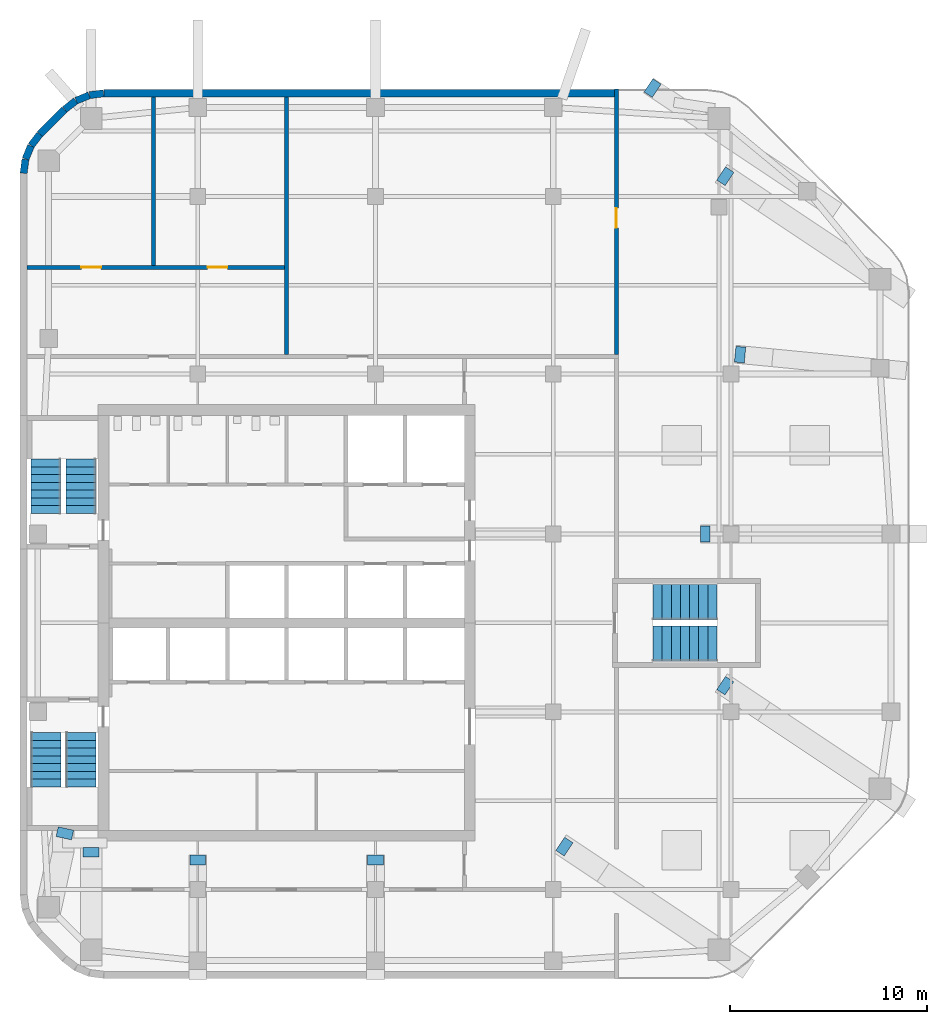
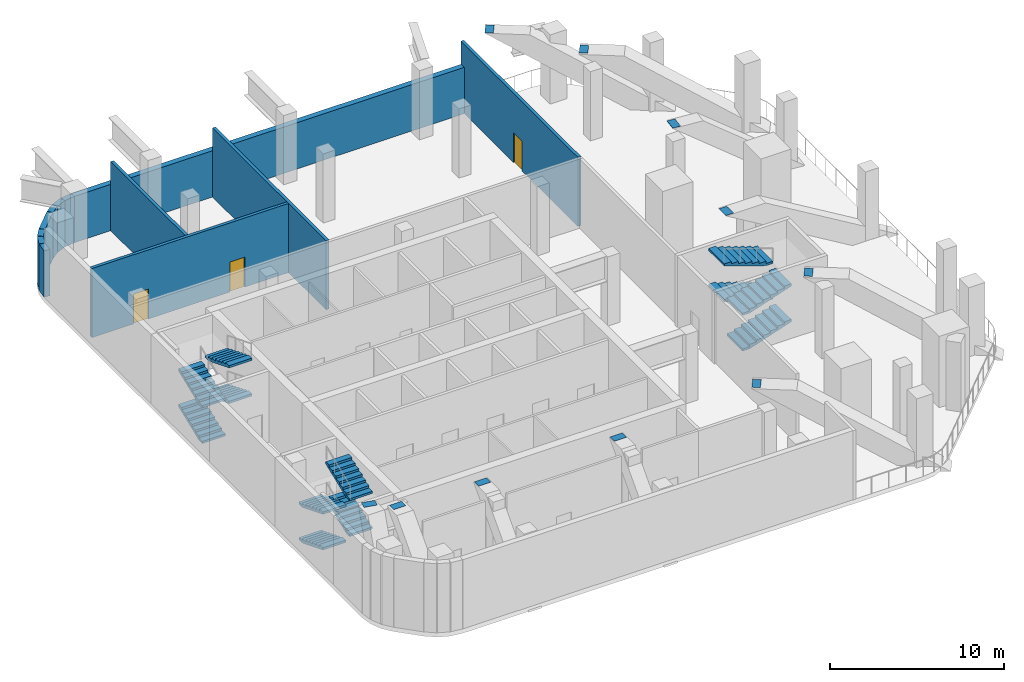
# One storey, part 5 of 8: 12 stair flights, 12 walls, 10 discrete accessories, 3 doors, 3 openings, 3 elements without a shape of their own.
"""IFC4 building model written with IfcOpenShell, lengths in metres."""

from ifc_helpers import new_model, si_unit, direction, frame, frame_2d, origin, origin_2d, place, context, subcontext, project, spatial, polyline, rectangle, outline, extrude, material, layer, layer_set, type_object, element, fill, aggregate, save


model = new_model("IFC4")

# Units and contexts
model_context = context("Model", 3, precision=1e-05, world=origin(), true_north=direction((0.0, 1.0)))
body_context = subcontext(model_context, "Body", "Model", "MODEL_VIEW")
ifc_project = project(units=[si_unit("LENGTHUNIT", "METRE"), si_unit("AREAUNIT", "SQUARE_METRE"), si_unit("VOLUMEUNIT", "CUBIC_METRE"), si_unit("PLANEANGLEUNIT", "RADIAN"), si_unit("MASSUNIT", "GRAM", prefix="KILO")], contexts=[model_context])

# Site, building, storey
site_placement = place(None, origin())
site = spatial("IfcSite", under=ifc_project, at=site_placement, CompositionType="ELEMENT")
building_placement = place(site_placement, origin())
building = spatial("IfcBuilding", under=site, at=building_placement, Name="Cinnabar Reach Civic Tower", CompositionType="ELEMENT")
storey_placement = place(building_placement, frame((0.0, 0.0, 242.0)))
storey = spatial("IfcBuildingStorey", under=building, at=storey_placement, Name="L58", CompositionType="ELEMENT", Elevation=242.0)

# Walls
ifc_material_1 = material(Name="Facing brick with insulated backing", Category="masonry")
ifc_layer_1 = layer(ifc_material_1, 0.36)
ifc_layer_set_1 = layer_set([ifc_layer_1], Name="Brick corner wall")
wall_type_1 = type_object("IfcWallType", Name="Brick corner wall", PredefinedType="STANDARD", material=ifc_layer_set_1)
for number, where, z_axis, x_axis, name in (
    (1, (4.2314, 58.317, 0.0), (0.0, 0.0, 1.0), (-0.99144092581, -0.13055608231, 0.0), "Brick corner wall"),
    (2, (3.5027, 58.2181, 0.0), (0.0, 0.0, 1.0), (-0.923871547278, -0.382702709855, 0.0), "Brick corner wall"),
):
    element("IfcWall", number, at=place(storey_placement, frame(where, z_axis=z_axis, x_axis=x_axis)), inside=storey, type_object=wall_type_1, Name=name, PredefinedType="STANDARD", context=body_context, shape_type="SweptSolid", body=[
        extrude(rectangle(XDim=0.7131, YDim=0.36, at=frame_2d((0.3565, 0.0))), origin(), (0.0, 0.0, 1.0), 3.25),
    ])
for number, where, z_axis, x_axis, name in (
    (3, (2.8245, 57.934, 0.0), (0.0, 0.0, 1.0), (-0.793321924995, -0.608802368033, 0.0), "Brick corner wall"),
    (4, (1.0002, 56.2413, 0.0), (0.0, 0.0, 1.0), (-0.608802368033, -0.793321924995, 0.0), "Brick corner wall"),
):
    element("IfcWall", number, at=place(storey_placement, frame(where, z_axis=z_axis, x_axis=x_axis)), inside=storey, type_object=wall_type_1, Name=name, PredefinedType="STANDARD", context=body_context, shape_type="SweptSolid", body=[
        extrude(rectangle(XDim=0.7132, YDim=0.36, at=frame_2d((0.3566, 0.0))), origin(), (0.0, 0.0, 1.0), 3.25),
    ])
for number, where, z_axis, x_axis, name in (
    (5, (0.5548, 55.6561, 0.0), (0.0, 0.0, 1.0), (-0.382702709855, -0.923871547278, 0.0), "Brick corner wall"),
    (6, (0.2761, 54.9756, 0.0), (0.0, 0.0, 1.0), (-0.13055608231, -0.99144092581, 0.0), "Brick corner wall"),
):
    element("IfcWall", number, at=place(storey_placement, frame(where, z_axis=z_axis, x_axis=x_axis)), inside=storey, type_object=wall_type_1, Name=name, PredefinedType="STANDARD", context=body_context, shape_type="SweptSolid", body=[
        extrude(rectangle(XDim=0.7131, YDim=0.36, at=frame_2d((0.3565, 0.0))), origin(), (0.0, 0.0, 1.0), 3.25),
    ])
ifc_layer_2 = layer(ifc_material_1, 0.36)
ifc_layer_set_2 = layer_set([ifc_layer_2], Name="Brick pier and spandrel wall")
wall_type_2 = type_object("IfcWallType", Name="Brick pier and spandrel wall", PredefinedType="STANDARD", material=ifc_layer_set_2)
wall_1_placement = place(storey_placement, frame((30.2, 58.32, 0.0), z_axis=(0.0, 0.0, 1.0), x_axis=(-1.0, 0.0, 0.0)))
element("IfcWall", 7, at=wall_1_placement, inside=storey, type_object=wall_type_2, Name="Brick facade wall", PredefinedType="STANDARD", context=body_context, shape_type="SweptSolid", body=[
    extrude(rectangle(XDim=25.9574, YDim=0.36, at=frame_2d((12.9787, 0.0))), origin(), (0.0, 0.0, 1.0), 3.25),
])
wall_2_placement = place(storey_placement, frame((2.2486, 57.494, 0.0), z_axis=(0.0, 0.0, 1.0), x_axis=(-0.707106781187, -0.707106781187, 0.0)))
element("IfcWall", 8, at=wall_2_placement, inside=storey, type_object=wall_type_2, Name="Brick facade wall", PredefinedType="STANDARD", context=body_context, shape_type="SweptSolid", body=[
    extrude(rectangle(XDim=1.7573, YDim=0.36, at=frame_2d((0.8787, 0.0))), origin(), (0.0, 0.0, 1.0), 3.25),
])

# Wall, opening, door
ifc_material_2 = material(Name="Concrete C40", Category="concrete")
ifc_layer_3 = layer(ifc_material_2, 0.2)
ifc_layer_set_3 = layer_set([ifc_layer_3], Name="Refuge compartment wall 200 T1")
wall_type_3 = type_object("IfcWallType", Name="Refuge compartment wall 200 T1", PredefinedType="PARTITIONING", material=ifc_layer_set_3)
wall_3_placement = place(storey_placement, frame((30.2, 45.1, 0.0), z_axis=(0.0, 0.0, 1.0), x_axis=(0.0, 1.0, 0.0)))
wall_3 = element("IfcWall", 9, at=wall_3_placement, inside=storey, type_object=wall_type_3, Name="Refuge compartment wall 2", PredefinedType="PARTITIONING", context=body_context, shape_type="SweptSolid", body=[
    extrude(rectangle(XDim=13.4268, YDim=0.2, at=frame_2d((6.7134, 0.0))), origin(), (0.0, 0.0, 1.0), 4.85),
])
opening_1_placement = place(wall_3_placement, frame((6.4, 0.0, 0.0)))
opening_1 = element("IfcOpeningElement", 10, at=opening_1_placement, cuts=wall_3, Name="Opening D5769", PredefinedType="OPENING", context=body_context, shape_type="SweptSolid", body=[
    extrude(rectangle(XDim=1.0, YDim=2.1, at=frame_2d((0.5, 1.05))), frame((0.0, 0.11, 0.0), z_axis=(0.0, -1.0, 0.0), x_axis=(1.0, 0.0, 0.0)), (0.0, 0.0, 1.0), 0.22),
])
ifc_material_3 = material(Name="Timber door leaf in steel frame", Category="steel")
door_type = type_object("IfcDoorType", Name="Refuge door 1000 x 2100 T1", OperationType="SINGLE_SWING_LEFT", PredefinedType="DOOR", material=ifc_material_3)
door_1_placement = place(opening_1_placement, frame((1.0, 0.0, 0.0), z_axis=(0.0, 0.0, 1.0), x_axis=(-1.0, 0.0, 0.0)))
door_1 = element("IfcDoor", 11, at=door_1_placement, inside=storey, type_object=door_type, Name="Door D5769", OperationType="SINGLE_SWING_RIGHT", OverallHeight=2.1, OverallWidth=1.0, PredefinedType="DOOR", context=body_context, shape_type="SweptSolid", body=[
    extrude(rectangle(XDim=1.0, YDim=2.1, at=frame_2d((0.5, 1.05))), frame((0.0, 0.025, 0.0), z_axis=(0.0, -1.0, 0.0), x_axis=(1.0, 0.0, 0.0)), (0.0, 0.0, 1.0), 0.05),
])
fill(opening_1, door_1)

# Wall
wall_4_placement = place(storey_placement, frame((13.5, 45.1, 0.0), z_axis=(0.0, 0.0, 1.0), x_axis=(0.0, 1.0, 0.0)))
element("IfcWall", 12, at=wall_4_placement, inside=storey, type_object=wall_type_3, Name="Refuge compartment wall 6", PredefinedType="PARTITIONING", context=body_context, shape_type="SweptSolid", body=[
    extrude(rectangle(XDim=13.04, YDim=0.2, at=frame_2d((6.52, 0.0))), origin(), (0.0, 0.0, 1.0), 4.85),
])

# Wall, openings, doors
wall_5_placement = place(storey_placement, frame((0.36, 49.5, 0.0), z_axis=(0.0, 0.0, 1.0), x_axis=(1.0, 0.0, 0.0)))
wall_5 = element("IfcWall", 13, at=wall_5_placement, inside=storey, type_object=wall_type_3, Name="Refuge compartment wall 7", PredefinedType="PARTITIONING", context=body_context, shape_type="SweptSolid", body=[
    extrude(rectangle(XDim=13.04, YDim=0.2, at=frame_2d((6.52, 0.0))), origin(), (0.0, 0.0, 1.0), 4.85),
])
opening_2_placement = place(wall_5_placement, frame((2.75, 0.0, 0.0)))
opening_2 = element("IfcOpeningElement", 14, at=opening_2_placement, cuts=wall_5, Name="Opening D5369", PredefinedType="OPENING", context=body_context, shape_type="SweptSolid", body=[
    extrude(rectangle(XDim=1.0, YDim=2.1, at=frame_2d((0.5, 1.05))), frame((0.0, 0.11, 0.0), z_axis=(0.0, -1.0, 0.0), x_axis=(1.0, 0.0, 0.0)), (0.0, 0.0, 1.0), 0.22),
])
opening_3_placement = place(wall_5_placement, frame((9.14, 0.0, 0.0)))
opening_3 = element("IfcOpeningElement", 15, at=opening_3_placement, cuts=wall_5, Name="Opening D5370", PredefinedType="OPENING", context=body_context, shape_type="SweptSolid", body=[
    extrude(rectangle(XDim=1.0, YDim=2.1, at=frame_2d((0.5, 1.05))), frame((0.0, 0.11, 0.0), z_axis=(0.0, -1.0, 0.0), x_axis=(1.0, 0.0, 0.0)), (0.0, 0.0, 1.0), 0.22),
])
door_2_placement = place(opening_2_placement, frame((1.0, 0.0, 0.0), z_axis=(0.0, 0.0, 1.0), x_axis=(-1.0, 0.0, 0.0)))
door_2 = element("IfcDoor", 16, at=door_2_placement, inside=storey, type_object=door_type, Name="Door D5369", OperationType="SINGLE_SWING_LEFT", OverallHeight=2.1, OverallWidth=1.0, PredefinedType="DOOR", context=body_context, shape_type="SweptSolid", body=[
    extrude(rectangle(XDim=1.0, YDim=2.1, at=frame_2d((0.5, 1.05))), frame((0.0, 0.025, 0.0), z_axis=(0.0, -1.0, 0.0), x_axis=(1.0, 0.0, 0.0)), (0.0, 0.0, 1.0), 0.05),
])
fill(opening_2, door_2)
door_3_placement = place(opening_3_placement, frame((1.0, 0.0, 0.0), z_axis=(0.0, 0.0, 1.0), x_axis=(-1.0, 0.0, 0.0)))
door_3 = element("IfcDoor", 17, at=door_3_placement, inside=storey, type_object=door_type, Name="Door D5370", OperationType="SINGLE_SWING_LEFT", OverallHeight=2.1, OverallWidth=1.0, PredefinedType="DOOR", context=body_context, shape_type="SweptSolid", body=[
    extrude(rectangle(XDim=1.0, YDim=2.1, at=frame_2d((0.5, 1.05))), frame((0.0, 0.025, 0.0), z_axis=(0.0, -1.0, 0.0), x_axis=(1.0, 0.0, 0.0)), (0.0, 0.0, 1.0), 0.05),
])
fill(opening_3, door_3)

# Wall
wall_6_placement = place(storey_placement, frame((6.75, 49.6, 0.0), z_axis=(0.0, 0.0, 1.0), x_axis=(0.0, 1.0, 0.0)))
element("IfcWall", 18, at=wall_6_placement, inside=storey, type_object=wall_type_3, Name="Refuge compartment wall 8", PredefinedType="PARTITIONING", context=body_context, shape_type="SweptSolid", body=[
    extrude(rectangle(XDim=8.54, YDim=0.2, at=frame_2d((4.27, 0.0))), origin(), (0.0, 0.0, 1.0), 4.85),
])

# Stair, stair flights
ifc_material_4 = material(Name="Concrete C40/50", Category="concrete")
stair_type = type_object("IfcStairType", Name="T1 Exit stair, double return", PredefinedType="DOUBLE_RETURN_STAIR", material=ifc_material_4)
stair_1_placement = place(storey_placement, origin())
stair_1 = element("IfcStair", 19, at=stair_1_placement, inside=storey, type_object=stair_type, Name="Stair T1-S1", PredefinedType="DOUBLE_RETURN_STAIR")
stair_flight_type = type_object("IfcStairFlightType", Name="T1 Stair flight, concrete", PredefinedType="STRAIGHT", material=ifc_material_4)
stair_flight_1_placement = place(storey_placement, frame((1.3125, 25.95, 0.0), z_axis=(0.0, 0.0, 1.0), x_axis=(0.0, -1.0, 0.0)))
stair_flight_1 = element("IfcStairFlight", 20, at=stair_flight_1_placement, type_object=stair_flight_type, Name="T1-S1 flight 1", NumberOfRisers=8, NumberOfTreads=7, PredefinedType="STRAIGHT", RiserHeight=0.15625, TreadLength=0.392142857, context=body_context, shape_type="SweptSolid", body=[
    extrude(outline(polyline([(0.0, 0.0), (0.0, 0.1562), (0.3921, 0.1562), (0.3921, 0.3125), (0.7843, 0.3125), (0.7843, 0.4688), (1.1764, 0.4688), (1.1764, 0.625), (1.5686, 0.625), (1.5686, 0.7812), (1.9607, 0.7812), (1.9607, 0.9375), (2.3529, 0.9375), (2.3529, 1.0938), (2.745, 1.0938), (2.745, 1.25), (2.745, 0.9323), (0.4052, 0.0), (0.0, 0.0)])), frame((0.0, 0.7625, 0.0), z_axis=(0.0, -1.0, 0.0), x_axis=(1.0, 0.0, 0.0)), (0.0, 0.0, 1.0), 1.525),
])
stair_flight_2_placement = place(storey_placement, frame((3.0875, 23.205, 1.25), z_axis=(0.0, 0.0, 1.0), x_axis=(0.0, 1.0, 0.0)))
stair_flight_2 = element("IfcStairFlight", 21, at=stair_flight_2_placement, type_object=stair_flight_type, Name="T1-S1 flight 2", NumberOfRisers=8, NumberOfTreads=7, PredefinedType="STRAIGHT", RiserHeight=0.15625, TreadLength=0.392142857, context=body_context, shape_type="SweptSolid", body=[
    extrude(outline(polyline([(0.0, 0.0), (0.0, 0.1562), (0.3921, 0.1562), (0.3921, 0.3125), (0.7843, 0.3125), (0.7843, 0.4688), (1.1764, 0.4688), (1.1764, 0.625), (1.5686, 0.625), (1.5686, 0.7812), (1.9607, 0.7812), (1.9607, 0.9375), (2.3529, 0.9375), (2.3529, 1.0938), (2.745, 1.0938), (2.745, 1.25), (2.745, 0.9323), (0.4052, 0.0), (0.0, 0.0)])), frame((0.0, 0.7625, 0.0), z_axis=(0.0, -1.0, 0.0), x_axis=(1.0, 0.0, 0.0)), (0.0, 0.0, 1.0), 1.525),
])
stair_flight_3_placement = place(storey_placement, frame((1.3125, 25.95, 2.5), z_axis=(0.0, 0.0, 1.0), x_axis=(0.0, -1.0, 0.0)))
stair_flight_3 = element("IfcStairFlight", 22, at=stair_flight_3_placement, type_object=stair_flight_type, Name="T1-S1 flight 3", NumberOfRisers=8, NumberOfTreads=7, PredefinedType="STRAIGHT", RiserHeight=0.15625, TreadLength=0.392142857, context=body_context, shape_type="SweptSolid", body=[
    extrude(outline(polyline([(0.0, 0.0), (0.0, 0.1562), (0.3921, 0.1562), (0.3921, 0.3125), (0.7843, 0.3125), (0.7843, 0.4688), (1.1764, 0.4688), (1.1764, 0.625), (1.5686, 0.625), (1.5686, 0.7812), (1.9607, 0.7812), (1.9607, 0.9375), (2.3529, 0.9375), (2.3529, 1.0938), (2.745, 1.0938), (2.745, 1.25), (2.745, 0.9323), (0.4052, 0.0), (0.0, 0.0)])), frame((0.0, 0.7625, 0.0), z_axis=(0.0, -1.0, 0.0), x_axis=(1.0, 0.0, 0.0)), (0.0, 0.0, 1.0), 1.525),
])
stair_flight_4_placement = place(storey_placement, frame((3.0875, 23.205, 3.75), z_axis=(0.0, 0.0, 1.0), x_axis=(0.0, 1.0, 0.0)))
stair_flight_4 = element("IfcStairFlight", 23, at=stair_flight_4_placement, type_object=stair_flight_type, Name="T1-S1 flight 4", NumberOfRisers=8, NumberOfTreads=7, PredefinedType="STRAIGHT", RiserHeight=0.15625, TreadLength=0.392142857, context=body_context, shape_type="SweptSolid", body=[
    extrude(outline(polyline([(0.0, 0.0), (0.0, 0.1562), (0.3921, 0.1562), (0.3921, 0.3125), (0.7843, 0.3125), (0.7843, 0.4688), (1.1764, 0.4688), (1.1764, 0.625), (1.5686, 0.625), (1.5686, 0.7812), (1.9607, 0.7812), (1.9607, 0.9375), (2.3529, 0.9375), (2.3529, 1.0938), (2.745, 1.0938), (2.745, 1.25), (2.745, 0.9323), (0.4052, 0.0), (0.0, 0.0)])), frame((0.0, 0.7625, 0.0), z_axis=(0.0, -1.0, 0.0), x_axis=(1.0, 0.0, 0.0)), (0.0, 0.0, 1.0), 1.525),
])
aggregate(stair_1, [stair_flight_1, stair_flight_2, stair_flight_3, stair_flight_4])

stair_2_placement = place(storey_placement, origin())
stair_2 = element("IfcStair", 24, at=stair_2_placement, inside=storey, type_object=stair_type, Name="Stair T1-S2", PredefinedType="DOUBLE_RETURN_STAIR")
stair_flight_5_placement = place(storey_placement, frame((1.3125, 37.05, 0.0), z_axis=(0.0, 0.0, 1.0), x_axis=(0.0, 1.0, 0.0)))
stair_flight_5 = element("IfcStairFlight", 25, at=stair_flight_5_placement, type_object=stair_flight_type, Name="T1-S2 flight 1", NumberOfRisers=8, NumberOfTreads=7, PredefinedType="STRAIGHT", RiserHeight=0.15625, TreadLength=0.392142857, context=body_context, shape_type="SweptSolid", body=[
    extrude(outline(polyline([(0.0, 0.0), (0.0, 0.1562), (0.3921, 0.1562), (0.3921, 0.3125), (0.7843, 0.3125), (0.7843, 0.4688), (1.1764, 0.4688), (1.1764, 0.625), (1.5686, 0.625), (1.5686, 0.7812), (1.9607, 0.7812), (1.9607, 0.9375), (2.3529, 0.9375), (2.3529, 1.0938), (2.745, 1.0938), (2.745, 1.25), (2.745, 0.9323), (0.4052, 0.0), (0.0, 0.0)])), frame((0.0, 0.7625, 0.0), z_axis=(0.0, -1.0, 0.0), x_axis=(1.0, 0.0, 0.0)), (0.0, 0.0, 1.0), 1.525),
])
stair_flight_6_placement = place(storey_placement, frame((3.0875, 39.795, 1.25), z_axis=(0.0, 0.0, 1.0), x_axis=(0.0, -1.0, 0.0)))
stair_flight_6 = element("IfcStairFlight", 26, at=stair_flight_6_placement, type_object=stair_flight_type, Name="T1-S2 flight 2", NumberOfRisers=8, NumberOfTreads=7, PredefinedType="STRAIGHT", RiserHeight=0.15625, TreadLength=0.392142857, context=body_context, shape_type="SweptSolid", body=[
    extrude(outline(polyline([(0.0, 0.0), (0.0, 0.1562), (0.3921, 0.1562), (0.3921, 0.3125), (0.7843, 0.3125), (0.7843, 0.4688), (1.1764, 0.4688), (1.1764, 0.625), (1.5686, 0.625), (1.5686, 0.7812), (1.9607, 0.7812), (1.9607, 0.9375), (2.3529, 0.9375), (2.3529, 1.0938), (2.745, 1.0938), (2.745, 1.25), (2.745, 0.9323), (0.4052, 0.0), (0.0, 0.0)])), frame((0.0, 0.7625, 0.0), z_axis=(0.0, -1.0, 0.0), x_axis=(1.0, 0.0, 0.0)), (0.0, 0.0, 1.0), 1.525),
])
stair_flight_7_placement = place(storey_placement, frame((1.3125, 37.05, 2.5), z_axis=(0.0, 0.0, 1.0), x_axis=(0.0, 1.0, 0.0)))
stair_flight_7 = element("IfcStairFlight", 27, at=stair_flight_7_placement, type_object=stair_flight_type, Name="T1-S2 flight 3", NumberOfRisers=8, NumberOfTreads=7, PredefinedType="STRAIGHT", RiserHeight=0.15625, TreadLength=0.392142857, context=body_context, shape_type="SweptSolid", body=[
    extrude(outline(polyline([(0.0, 0.0), (0.0, 0.1562), (0.3921, 0.1562), (0.3921, 0.3125), (0.7843, 0.3125), (0.7843, 0.4688), (1.1764, 0.4688), (1.1764, 0.625), (1.5686, 0.625), (1.5686, 0.7812), (1.9607, 0.7812), (1.9607, 0.9375), (2.3529, 0.9375), (2.3529, 1.0938), (2.745, 1.0938), (2.745, 1.25), (2.745, 0.9323), (0.4052, 0.0), (0.0, 0.0)])), frame((0.0, 0.7625, 0.0), z_axis=(0.0, -1.0, 0.0), x_axis=(1.0, 0.0, 0.0)), (0.0, 0.0, 1.0), 1.525),
])
stair_flight_8_placement = place(storey_placement, frame((3.0875, 39.795, 3.75), z_axis=(0.0, 0.0, 1.0), x_axis=(0.0, -1.0, 0.0)))
stair_flight_8 = element("IfcStairFlight", 28, at=stair_flight_8_placement, type_object=stair_flight_type, Name="T1-S2 flight 4", NumberOfRisers=8, NumberOfTreads=7, PredefinedType="STRAIGHT", RiserHeight=0.15625, TreadLength=0.392142857, context=body_context, shape_type="SweptSolid", body=[
    extrude(outline(polyline([(0.0, 0.0), (0.0, 0.1562), (0.3921, 0.1562), (0.3921, 0.3125), (0.7843, 0.3125), (0.7843, 0.4688), (1.1764, 0.4688), (1.1764, 0.625), (1.5686, 0.625), (1.5686, 0.7812), (1.9607, 0.7812), (1.9607, 0.9375), (2.3529, 0.9375), (2.3529, 1.0938), (2.745, 1.0938), (2.745, 1.25), (2.745, 0.9323), (0.4052, 0.0), (0.0, 0.0)])), frame((0.0, 0.7625, 0.0), z_axis=(0.0, -1.0, 0.0), x_axis=(1.0, 0.0, 0.0)), (0.0, 0.0, 1.0), 1.525),
])
aggregate(stair_2, [stair_flight_5, stair_flight_6, stair_flight_7, stair_flight_8])

stair_3_placement = place(storey_placement, origin())
stair_3 = element("IfcStair", 29, at=stair_3_placement, inside=storey, type_object=stair_type, Name="Stair T1-S3", PredefinedType="DOUBLE_RETURN_STAIR")
stair_flight_9_placement = place(storey_placement, frame((32.05, 30.45, 0.0), z_axis=(0.0, 0.0, 1.0), x_axis=(1.0, 0.0, 0.0)))
stair_flight_9 = element("IfcStairFlight", 30, at=stair_flight_9_placement, type_object=stair_flight_type, Name="T1-S3 flight 1", NumberOfRisers=8, NumberOfTreads=7, PredefinedType="STRAIGHT", RiserHeight=0.15625, TreadLength=0.462857143, context=body_context, shape_type="SweptSolid", body=[
    extrude(outline(polyline([(0.0, 0.0), (0.0, 0.1562), (0.4629, 0.1562), (0.4629, 0.3125), (0.9257, 0.3125), (0.9257, 0.4688), (1.3886, 0.4688), (1.3886, 0.625), (1.8514, 0.625), (1.8514, 0.7812), (2.3143, 0.7812), (2.3143, 0.9375), (2.7771, 0.9375), (2.7771, 1.0938), (3.24, 1.0938), (3.24, 1.25), (3.24, 0.9354), (0.469, 0.0), (0.0, 0.0)])), frame((0.0, 0.9, 0.0), z_axis=(0.0, -1.0, 0.0), x_axis=(1.0, 0.0, 0.0)), (0.0, 0.0, 1.0), 1.8),
])
stair_flight_10_placement = place(storey_placement, frame((35.29, 32.55, 1.25), z_axis=(0.0, 0.0, 1.0), x_axis=(-1.0, 0.0, 0.0)))
stair_flight_10 = element("IfcStairFlight", 31, at=stair_flight_10_placement, type_object=stair_flight_type, Name="T1-S3 flight 2", NumberOfRisers=8, NumberOfTreads=7, PredefinedType="STRAIGHT", RiserHeight=0.15625, TreadLength=0.462857143, context=body_context, shape_type="SweptSolid", body=[
    extrude(outline(polyline([(0.0, 0.0), (0.0, 0.1562), (0.4629, 0.1562), (0.4629, 0.3125), (0.9257, 0.3125), (0.9257, 0.4688), (1.3886, 0.4688), (1.3886, 0.625), (1.8514, 0.625), (1.8514, 0.7812), (2.3143, 0.7812), (2.3143, 0.9375), (2.7771, 0.9375), (2.7771, 1.0938), (3.24, 1.0938), (3.24, 1.25), (3.24, 0.9354), (0.469, 0.0), (0.0, 0.0)])), frame((0.0, 0.9, 0.0), z_axis=(0.0, -1.0, 0.0), x_axis=(1.0, 0.0, 0.0)), (0.0, 0.0, 1.0), 1.8),
])
stair_flight_11_placement = place(storey_placement, frame((32.05, 30.45, 2.5), z_axis=(0.0, 0.0, 1.0), x_axis=(1.0, 0.0, 0.0)))
stair_flight_11 = element("IfcStairFlight", 32, at=stair_flight_11_placement, type_object=stair_flight_type, Name="T1-S3 flight 3", NumberOfRisers=8, NumberOfTreads=7, PredefinedType="STRAIGHT", RiserHeight=0.15625, TreadLength=0.462857143, context=body_context, shape_type="SweptSolid", body=[
    extrude(outline(polyline([(0.0, 0.0), (0.0, 0.1562), (0.4629, 0.1562), (0.4629, 0.3125), (0.9257, 0.3125), (0.9257, 0.4688), (1.3886, 0.4688), (1.3886, 0.625), (1.8514, 0.625), (1.8514, 0.7812), (2.3143, 0.7812), (2.3143, 0.9375), (2.7771, 0.9375), (2.7771, 1.0938), (3.24, 1.0938), (3.24, 1.25), (3.24, 0.9354), (0.469, 0.0), (0.0, 0.0)])), frame((0.0, 0.9, 0.0), z_axis=(0.0, -1.0, 0.0), x_axis=(1.0, 0.0, 0.0)), (0.0, 0.0, 1.0), 1.8),
])
stair_flight_12_placement = place(storey_placement, frame((35.29, 32.55, 3.75), z_axis=(0.0, 0.0, 1.0), x_axis=(-1.0, 0.0, 0.0)))
stair_flight_12 = element("IfcStairFlight", 33, at=stair_flight_12_placement, type_object=stair_flight_type, Name="T1-S3 flight 4", NumberOfRisers=8, NumberOfTreads=7, PredefinedType="STRAIGHT", RiserHeight=0.15625, TreadLength=0.462857143, context=body_context, shape_type="SweptSolid", body=[
    extrude(outline(polyline([(0.0, 0.0), (0.0, 0.1562), (0.4629, 0.1562), (0.4629, 0.3125), (0.9257, 0.3125), (0.9257, 0.4688), (1.3886, 0.4688), (1.3886, 0.625), (1.8514, 0.625), (1.8514, 0.7812), (2.3143, 0.7812), (2.3143, 0.9375), (2.7771, 0.9375), (2.7771, 1.0938), (3.24, 1.0938), (3.24, 1.25), (3.24, 0.9354), (0.469, 0.0), (0.0, 0.0)])), frame((0.0, 0.9, 0.0), z_axis=(0.0, -1.0, 0.0), x_axis=(1.0, 0.0, 0.0)), (0.0, 0.0, 1.0), 1.8),
])
aggregate(stair_3, [stair_flight_9, stair_flight_10, stair_flight_11, stair_flight_12])

# Discrete accessories
ifc_material_5 = material(Name="Steel Q355B", Category="steel")
discrete_accessory_type = type_object("IfcDiscreteAccessoryType", Name="Raked column head plate", PredefinedType="USERDEFINED", material=ifc_material_5)
for number, where, z_axis, x_axis, name in (
    (34, (3.6019, 19.8923, 4.98), (0.0, 0.0, 1.0), (0.0, 1.0, 0.0), "Raked column head plate"),
    (35, (27.5657, 20.1747, 4.98), (0.0, 0.0, 1.0), (-0.83205094808, 0.554699215611, 0.0), "Raked column head plate"),
    (36, (35.7145, 28.3235, 4.98), (0.0, 0.0, 1.0), (-0.83205094808, 0.554699215611, 0.0), "Raked column head plate"),
    (37, (35.7145, 54.1197, 4.98), (0.0, 0.0, 1.0), (-0.83205094808, 0.554699215611, 0.0), "Raked column head plate"),
    (38, (2.2715, 20.8459, 4.98), (0.0, 0.0, 1.0), (0.213541936916, 0.97693389806, 0.0), "Raked column head plate"),
    (39, (9.0, 19.4892, 4.98), (0.0, 0.0, 1.0), (0.0, 1.0, 0.0), "Raked column head plate"),
    (40, (18.0, 19.4892, 4.98), (0.0, 0.0, 1.0), (0.0, 1.0, 0.0), "Raked column head plate"),
    (41, (34.6995, 36.0, 4.98), (0.0, 0.0, 1.0), (-1.0, 0.0, 0.0), "Raked column head plate"),
    (42, (36.4616, 45.0863, 4.98), (0.0, 0.0, 1.0), (-0.995315553523, 0.096679619958, 0.0), "Raked column head plate"),
    (43, (32.0312, 58.5852, 4.98), (0.0, 0.0, 1.0), (-0.83205094808, 0.554699215611, 0.0), "Raked column head plate"),
):
    element("IfcDiscreteAccessory", number, at=place(storey_placement, frame(where, z_axis=z_axis, x_axis=x_axis)), inside=storey, type_object=discrete_accessory_type, Name=name, ObjectType="HEAD PLATE", PredefinedType="USERDEFINED", context=body_context, shape_type="SweptSolid", body=[
        extrude(rectangle(XDim=0.5, YDim=0.8, at=origin_2d()), origin(), (0.0, 0.0, 1.0), 0.02),
    ])

save(model, "model.ifc")
